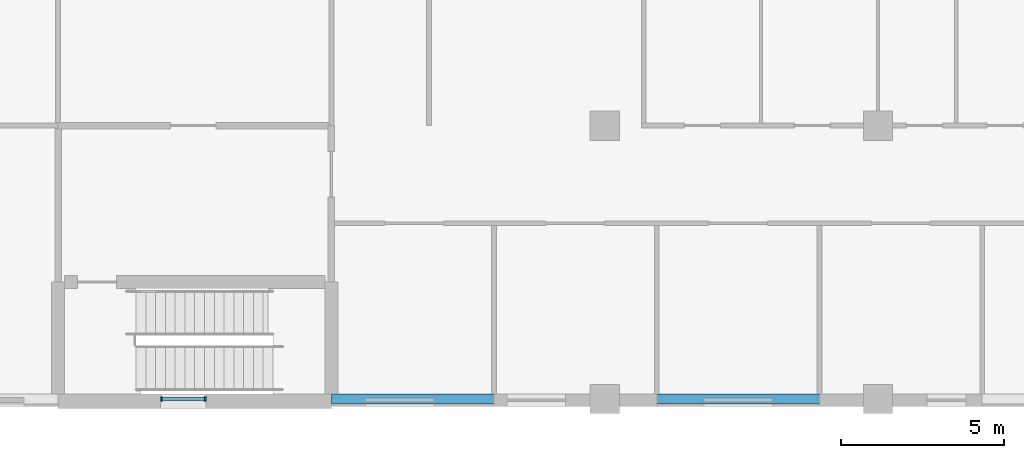
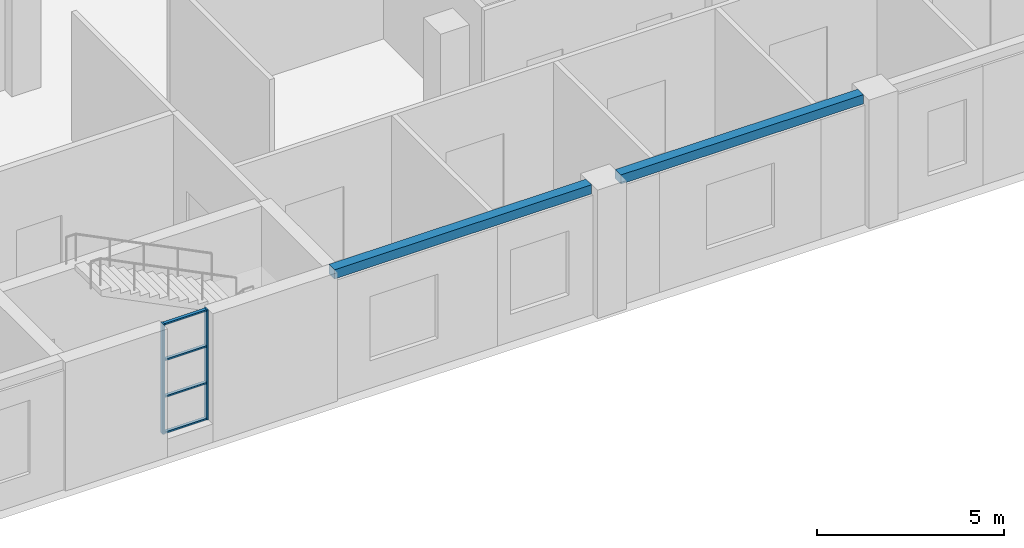
# One storey, part 12 of 66: 6 members, 2 beams, 1 element without a shape of its own.
"""IFC4 building model written with IfcOpenShell, lengths in metres."""

from ifc_helpers import new_model, si_unit, direction, frame, origin, origin_2d, place, context, subcontext, project, spatial, rectangle, extrude, material, material_profile, profile_set, type_object, element, aggregate, save


model = new_model("IFC4")

# Units and contexts
model_context = context("Model", 3, precision=1e-05, world=origin(), true_north=direction((0.0, 1.0)))
body_context = subcontext(model_context, "Body", "Model", "MODEL_VIEW")
ifc_project = project(units=[si_unit("LENGTHUNIT", "METRE"), si_unit("AREAUNIT", "SQUARE_METRE"), si_unit("VOLUMEUNIT", "CUBIC_METRE"), si_unit("PLANEANGLEUNIT", "RADIAN"), si_unit("MASSUNIT", "GRAM", prefix="KILO")], contexts=[model_context])

# Site, building, storey
site_placement = place(None, origin())
site = spatial("IfcSite", under=ifc_project, at=site_placement, CompositionType="ELEMENT")
building_placement = place(site_placement, origin())
building = spatial("IfcBuilding", under=site, at=building_placement, Name="Yavir Park General Hospital", CompositionType="ELEMENT")
storey_placement = place(building_placement, frame((0.0, 0.0, 8.39990234375)))
storey = spatial("IfcBuildingStorey", under=building, at=storey_placement, Name="L02", CompositionType="ELEMENT", Elevation=8.39990234375)

# Beams
ifc_material_1 = material(Name="Concrete C35/45", Category="concrete")
ifc_material_profile_1 = material_profile(ifc_material_1, rectangle(XDim=0.300048828125, YDim=0.300048828125, at=origin_2d()), Name="RC300x300")
ifc_profile_set_1 = profile_set([ifc_material_profile_1], Name="Concrete C35/45")
beam_type = type_object("IfcBeamType", Name="RC BEAM 300x300 edge beam", PredefinedType="BEAM", material=ifc_profile_set_1)
beam_1_placement = place(storey_placement, frame((109.199951171875, 0.0, 4.050048828125), z_axis=(1.0, 0.0, 0.0), x_axis=(0.0, 1.0, 0.0)))
element("IfcBeam", 1, at=beam_1_placement, inside=storey, type_object=beam_type, Name="B:EDGE:L02:011", PredefinedType="BEAM", context=body_context, shape_type="SweptSolid", body=[
    extrude(rectangle(XDim=0.300048828125, YDim=0.300048828125, at=origin_2d()), origin(), (0.0, 0.0, 1.0), 7.949951171875),
])
beam_2_placement = place(storey_placement, frame((118.050048828125, 0.0, 4.050048828125), z_axis=(1.0, 0.0, 0.0), x_axis=(0.0, 1.0, 0.0)))
element("IfcBeam", 2, at=beam_2_placement, inside=storey, type_object=beam_type, Name="B:EDGE:L02:012", PredefinedType="BEAM", context=body_context, shape_type="SweptSolid", body=[
    extrude(rectangle(XDim=0.300048828125, YDim=0.300048828125, at=origin_2d()), origin(), (0.0, 0.0, 1.0), 7.5),
])

# Curtain wall, members
ifc_material_2 = material(Name="Aluminium curtain wall frame with insulated glazing", Category="aluminium")
curtain_wall_type = type_object("IfcCurtainWallType", Name="Stair light slot, podium, 3600 high, 1400 module", PredefinedType="NOTDEFINED", material=ifc_material_2)
curtain_wall_placement = place(storey_placement, origin())
curtain_wall = element("IfcCurtainWall", 3, at=curtain_wall_placement, inside=storey, type_object=curtain_wall_type, Name="CW57 L02-003", PredefinedType="NOTDEFINED")
ifc_material_3 = material(Name="Aluminium", Category="aluminium")
ifc_material_profile_2 = material_profile(ifc_material_3, rectangle(XDim=0.139892578125, YDim=0.050048828125, at=origin_2d()), Name="AL 50x140")
ifc_profile_set_2 = profile_set([ifc_material_profile_2], Name="Aluminium")
member_type_1 = type_object("IfcMemberType", Name="Stair light slot, podium, 3600 high mullion 50 x 140", PredefinedType="MULLION", material=ifc_profile_set_2)
member_1_placement = place(storey_placement, frame((103.97509765625, 0.0, 0.60009765625), z_axis=(0.0, 0.0, 1.0), x_axis=(0.0, 1.0, 0.0)))
member_1 = element("IfcMember", 4, at=member_1_placement, type_object=member_type_1, Name="CW57 mullion 1", PredefinedType="MULLION", context=body_context, shape_type="SweptSolid", body=[
    extrude(rectangle(XDim=0.139892578125, YDim=0.050048828125, at=origin_2d()), origin(), (0.0, 0.0, 1.0), 3.60009765625),
])
member_2_placement = place(storey_placement, frame((105.324951171875, 0.0, 0.60009765625), z_axis=(0.0, 0.0, 1.0), x_axis=(0.0, 1.0, 0.0)))
member_2 = element("IfcMember", 5, at=member_2_placement, type_object=member_type_1, Name="CW57 mullion 2", PredefinedType="MULLION", context=body_context, shape_type="SweptSolid", body=[
    extrude(rectangle(XDim=0.139892578125, YDim=0.050048828125, at=origin_2d()), origin(), (0.0, 0.0, 1.0), 3.60009765625),
])
ifc_material_4 = material(Name="Aluminium", Category="aluminium")
ifc_material_profile_3 = material_profile(ifc_material_4, rectangle(XDim=0.10009765625, YDim=0.050048828125, at=origin_2d()), Name="AL 100x50")
ifc_profile_set_3 = profile_set([ifc_material_profile_3], Name="Aluminium")
member_type_2 = type_object("IfcMemberType", Name="Stair light slot, podium, 3600 high transom 50 x 100", PredefinedType="MULLION", material=ifc_profile_set_3)
member_3_placement = place(storey_placement, frame((104.0, 0.0, 0.625), z_axis=(1.0, 0.0, 0.0), x_axis=(0.0, 1.0, 0.0)))
member_3 = element("IfcMember", 6, at=member_3_placement, type_object=member_type_2, Name="CW57 transom 1.1", PredefinedType="MULLION", context=body_context, shape_type="SweptSolid", body=[
    extrude(rectangle(XDim=0.10009765625, YDim=0.050048828125, at=origin_2d()), origin(), (0.0, 0.0, 1.0), 1.300048828125),
])
member_4_placement = place(storey_placement, frame((104.0, 0.0, 1.800048828125), z_axis=(1.0, 0.0, 0.0), x_axis=(0.0, 1.0, 0.0)))
member_4 = element("IfcMember", 7, at=member_4_placement, type_object=member_type_2, Name="CW57 transom 1.2", PredefinedType="MULLION", context=body_context, shape_type="SweptSolid", body=[
    extrude(rectangle(XDim=0.10009765625, YDim=0.050048828125, at=origin_2d()), origin(), (0.0, 0.0, 1.0), 1.300048828125),
])
member_5_placement = place(storey_placement, frame((104.0, 0.0, 3.0), z_axis=(1.0, 0.0, 0.0), x_axis=(0.0, 1.0, 0.0)))
member_5 = element("IfcMember", 8, at=member_5_placement, type_object=member_type_2, Name="CW57 transom 1.3", PredefinedType="MULLION", context=body_context, shape_type="SweptSolid", body=[
    extrude(rectangle(XDim=0.10009765625, YDim=0.050048828125, at=origin_2d()), origin(), (0.0, 0.0, 1.0), 1.300048828125),
])
member_6_placement = place(storey_placement, frame((104.0, 0.0, 4.175048828125), z_axis=(1.0, 0.0, 0.0), x_axis=(0.0, 1.0, 0.0)))
member_6 = element("IfcMember", 9, at=member_6_placement, type_object=member_type_2, Name="CW57 transom 1.4", PredefinedType="MULLION", context=body_context, shape_type="SweptSolid", body=[
    extrude(rectangle(XDim=0.10009765625, YDim=0.050048828125, at=origin_2d()), origin(), (0.0, 0.0, 1.0), 1.300048828125),
])
aggregate(curtain_wall, [member_1, member_2, member_3, member_4, member_5, member_6])

save(model, "model.ifc")
